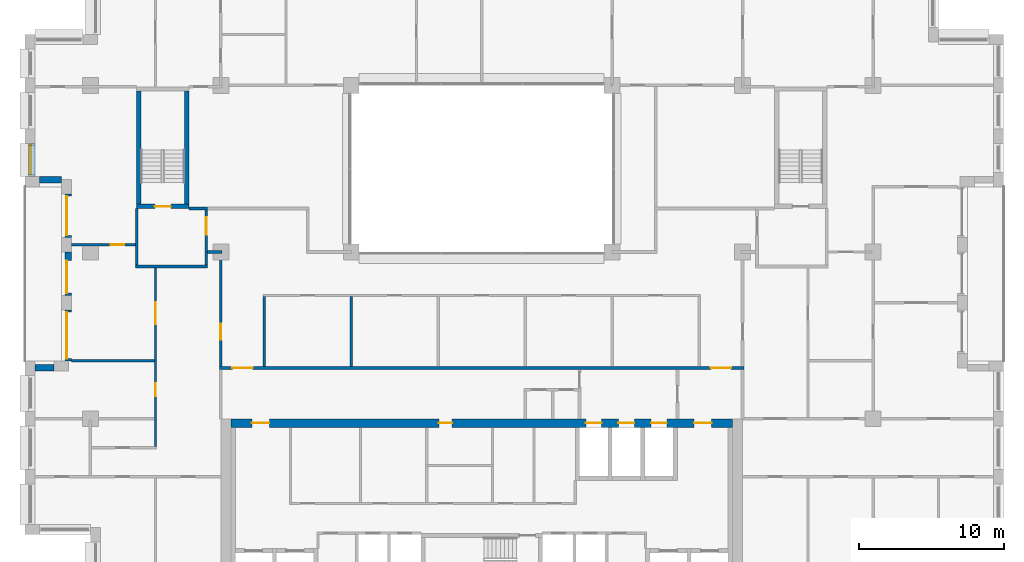
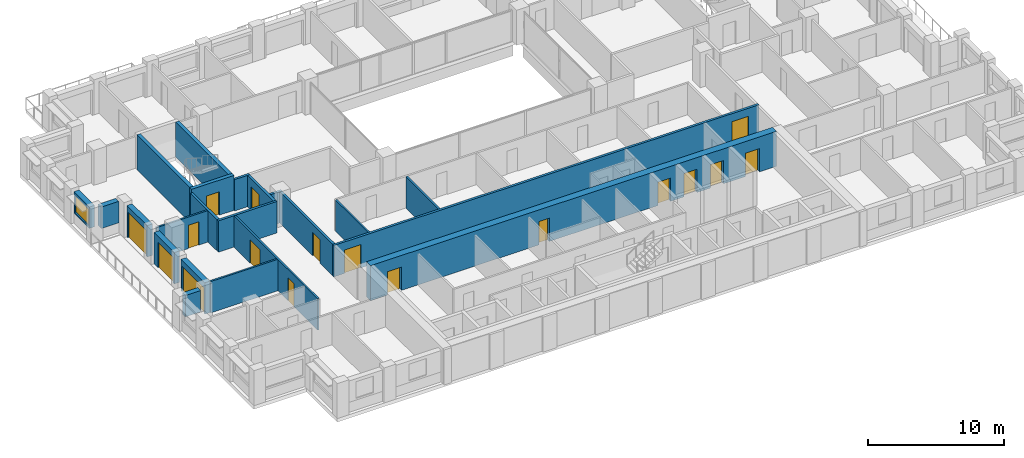
# One storey, part 9 of 15: 22 walls, 17 doors, 1 window, 18 openings.
"""IFC4 building model written with IfcOpenShell, lengths in metres."""

from ifc_helpers import new_model, si_unit, direction, frame, frame_2d, origin, place, context, subcontext, project, spatial, rectangle, extrude, material, layer, layer_set, type_object, element, fill, save


model = new_model("IFC4")

# Units and contexts
model_context = context("Model", 3, precision=1e-05, world=origin(), true_north=direction((0.0, 1.0)))
body_context = subcontext(model_context, "Body", "Model", "MODEL_VIEW")
ifc_project = project(units=[si_unit("LENGTHUNIT", "METRE"), si_unit("AREAUNIT", "SQUARE_METRE"), si_unit("VOLUMEUNIT", "CUBIC_METRE"), si_unit("PLANEANGLEUNIT", "RADIAN"), si_unit("MASSUNIT", "GRAM", prefix="KILO")], contexts=[model_context])

# Site, building, storey
site_placement = place(None, origin())
site = spatial("IfcSite", under=ifc_project, at=site_placement, CompositionType="ELEMENT")
building_placement = place(site_placement, origin())
building = spatial("IfcBuilding", under=site, at=building_placement, Name="Brigalow Station Residences", CompositionType="ELEMENT")
storey_placement = place(building_placement, frame((0.0, 0.0, 147.60009765625)))
storey = spatial("IfcBuildingStorey", under=building, at=storey_placement, Name="L42", CompositionType="ELEMENT", Elevation=147.60009765625)

# Wall, opening, window
ifc_material_1 = material(Name="Clay brick masonry", Category="masonry")
ifc_layer_1 = layer(ifc_material_1, 0.449951171875)
ifc_layer_set_1 = layer_set([ifc_layer_1], Name="BRICK INFILL WALL 450")
wall_type_1 = type_object("IfcWallType", Name="BRICK INFILL WALL 450", PredefinedType="SOLIDWALL", material=ifc_layer_set_1)
wall_1_placement = place(storey_placement, frame((4.97509765625, 31.5, 0.89990234375), z_axis=(0.0, 0.0, 1.0), x_axis=(0.0, -1.0, 0.0)))
wall_1 = element("IfcWall", 1, at=wall_1_placement, inside=storey, type_object=wall_type_1, Name="L42/ewall/W-L42-39", PredefinedType="SOLIDWALL", context=body_context, shape_type="SweptSolid", body=[
    extrude(rectangle(XDim=2.300048828125, YDim=0.449951171875, at=frame_2d((1.14990234375, 0.0))), origin(), (0.0, 0.0, 1.0), 1.929931640625),
])
opening_1_placement = place(wall_1_placement, frame((0.14990234375, 0.0, 0.14990234375)))
opening_1 = element("IfcOpeningElement", 2, at=opening_1_placement, cuts=wall_1, Name="Opening WT-7", PredefinedType="OPENING", context=body_context, shape_type="SweptSolid", body=[
    extrude(rectangle(XDim=2.0, YDim=1.5, at=frame_2d((1.0, 0.75))), frame((0.0, 0.23486328125, 0.0), z_axis=(0.0, -1.0, 0.0), x_axis=(1.0, 0.0, 0.0)), (0.0, 0.0, 1.0), 0.469970703125),
])
ifc_material_2 = material(Name="Anodised aluminium frame with double glazing", Category="aluminium")
window_type = type_object("IfcWindowType", Name="WINDOW 2000x1500", PartitioningType="SINGLE_PANEL", PredefinedType="WINDOW", material=ifc_material_2)
window_placement = place(opening_1_placement, origin())
window = element("IfcWindow", 3, at=window_placement, inside=storey, type_object=window_type, Name="L42/window/W-L42-39", OverallHeight=1.5, OverallWidth=2.0, PartitioningType="SINGLE_PANEL", PredefinedType="WINDOW", context=body_context, shape_type="SweptSolid", body=[
    extrude(rectangle(XDim=2.0, YDim=1.5, at=frame_2d((1.0, 0.75))), frame((0.0, -0.06494140625, 0.0), z_axis=(0.0, -1.0, 0.0), x_axis=(1.0, 0.0, 0.0)), (0.0, 0.0, 1.0), 0.06005859375),
])
fill(opening_1, window)

# Wall
wall_2_placement = place(storey_placement, frame((5.5, 28.97509765625, 0.89990234375), z_axis=(0.0, 0.0, 1.0), x_axis=(1.0, 0.0, 0.0)))
element("IfcWall", 4, at=wall_2_placement, inside=storey, type_object=wall_type_1, Name="L42/ewall/W-L42-40", PredefinedType="SOLIDWALL", context=body_context, shape_type="SweptSolid", body=[
    extrude(rectangle(XDim=1.5, YDim=0.449951171875, at=frame_2d((0.75, 0.0))), origin(), (0.0, 0.0, 1.0), 1.929931640625),
])

# Wall, opening, door
wall_3_placement = place(storey_placement, frame((7.47509765625, 28.0, 0.0), z_axis=(0.0, 0.0, 1.0), x_axis=(0.0, -1.0, 0.0)))
wall_3 = element("IfcWall", 5, at=wall_3_placement, inside=storey, type_object=wall_type_1, Name="L42/ewall/W-L42-41", PredefinedType="SOLIDWALL", context=body_context, shape_type="SweptSolid", body=[
    extrude(rectangle(XDim=3.0, YDim=0.449951171875, at=frame_2d((1.5, 0.0))), origin(), (0.0, 0.0, 1.0), 2.829833984375),
])
opening_2_placement = place(wall_3_placement, frame((0.14990234375, 0.0, 0.0)))
opening_2 = element("IfcOpeningElement", 6, at=opening_2_placement, cuts=wall_3, Name="Opening D-B2700", PredefinedType="OPENING", context=body_context, shape_type="SweptSolid", body=[
    extrude(rectangle(XDim=2.699951171875, YDim=2.300048828125, at=frame_2d((1.35009765625, 1.14990234375))), frame((0.0, 0.23486328125, 0.0), z_axis=(0.0, -1.0, 0.0), x_axis=(1.0, 0.0, 0.0)), (0.0, 0.0, 1.0), 0.469970703125),
])
ifc_material_3 = material(Name="Anodised aluminium frame with double glazing", Category="aluminium")
door_type_1 = type_object("IfcDoorType", Name="BALCONY SLIDING DOOR 2700x2300", OperationType="SLIDING_TO_LEFT", PredefinedType="DOOR", material=ifc_material_3)
door_1_placement = place(opening_2_placement, origin())
door_1 = element("IfcDoor", 7, at=door_1_placement, inside=storey, type_object=door_type_1, Name="L42/balcony-door/W-L42-41", OperationType="SLIDING_TO_LEFT", OverallHeight=2.300048828125, OverallWidth=2.699951171875, PredefinedType="DOOR", context=body_context, shape_type="SweptSolid", body=[
    extrude(rectangle(XDim=2.699951171875, YDim=2.300048828125, at=frame_2d((1.35009765625, 1.14990234375))), frame((0.0, -0.06982421875, 0.0), z_axis=(0.0, -1.0, 0.0), x_axis=(1.0, 0.0, 0.0)), (0.0, 0.0, 1.0), 0.050048828125),
])
fill(opening_2, door_1)

wall_4_placement = place(storey_placement, frame((7.47509765625, 24.0, 0.0), z_axis=(0.0, 0.0, 1.0), x_axis=(0.0, -1.0, 0.0)))
wall_4 = element("IfcWall", 8, at=wall_4_placement, inside=storey, type_object=wall_type_1, Name="L42/ewall/W-L42-42", PredefinedType="SOLIDWALL", context=body_context, shape_type="SweptSolid", body=[
    extrude(rectangle(XDim=3.0, YDim=0.449951171875, at=frame_2d((1.5, 0.0))), origin(), (0.0, 0.0, 1.0), 2.829833984375),
])
opening_3_placement = place(wall_4_placement, frame((0.5849609375, 0.0, 0.0)))
opening_3 = element("IfcOpeningElement", 9, at=opening_3_placement, cuts=wall_4, Name="Opening D-B2250", PredefinedType="OPENING", context=body_context, shape_type="SweptSolid", body=[
    extrude(rectangle(XDim=2.25, YDim=2.300048828125, at=frame_2d((1.125, 1.14990234375))), frame((0.0, 0.23486328125, 0.0), z_axis=(0.0, -1.0, 0.0), x_axis=(1.0, 0.0, 0.0)), (0.0, 0.0, 1.0), 0.469970703125),
])
ifc_material_4 = material(Name="Anodised aluminium frame with double glazing", Category="aluminium")
door_type_2 = type_object("IfcDoorType", Name="BALCONY SLIDING DOOR 2250x2300", OperationType="SLIDING_TO_LEFT", PredefinedType="DOOR", material=ifc_material_4)
door_2_placement = place(opening_3_placement, origin())
door_2 = element("IfcDoor", 10, at=door_2_placement, inside=storey, type_object=door_type_2, Name="L42/balcony-door/W-L42-42", OperationType="SLIDING_TO_LEFT", OverallHeight=2.300048828125, OverallWidth=2.25, PredefinedType="DOOR", context=body_context, shape_type="SweptSolid", body=[
    extrude(rectangle(XDim=2.25, YDim=2.300048828125, at=frame_2d((1.125, 1.14990234375))), frame((0.0, -0.06982421875, 0.0), z_axis=(0.0, -1.0, 0.0), x_axis=(1.0, 0.0, 0.0)), (0.0, 0.0, 1.0), 0.050048828125),
])
fill(opening_3, door_2)

wall_5_placement = place(storey_placement, frame((7.47509765625, 20.0, 0.0), z_axis=(0.0, 0.0, 1.0), x_axis=(0.0, -1.0, 0.0)))
wall_5 = element("IfcWall", 11, at=wall_5_placement, inside=storey, type_object=wall_type_1, Name="L42/ewall/W-L42-43", PredefinedType="SOLIDWALL", context=body_context, shape_type="SweptSolid", body=[
    extrude(rectangle(XDim=3.5, YDim=0.449951171875, at=frame_2d((1.75, 0.0))), origin(), (0.0, 0.0, 1.0), 2.829833984375),
])
opening_4_placement = place(wall_5_placement, frame((0.14990234375, 0.0, 0.0)))
opening_4 = element("IfcOpeningElement", 12, at=opening_4_placement, cuts=wall_5, Name="Opening D-B3200", PredefinedType="OPENING", context=body_context, shape_type="SweptSolid", body=[
    extrude(rectangle(XDim=3.199951171875, YDim=2.300048828125, at=frame_2d((1.60009765625, 1.14990234375))), frame((0.0, 0.23486328125, 0.0), z_axis=(0.0, -1.0, 0.0), x_axis=(1.0, 0.0, 0.0)), (0.0, 0.0, 1.0), 0.469970703125),
])
ifc_material_5 = material(Name="Anodised aluminium frame with double glazing", Category="aluminium")
door_type_3 = type_object("IfcDoorType", Name="BALCONY SLIDING DOOR 3200x2300", OperationType="SLIDING_TO_LEFT", PredefinedType="DOOR", material=ifc_material_5)
door_3_placement = place(opening_4_placement, origin())
door_3 = element("IfcDoor", 13, at=door_3_placement, inside=storey, type_object=door_type_3, Name="L42/balcony-door/W-L42-43", OperationType="SLIDING_TO_LEFT", OverallHeight=2.300048828125, OverallWidth=3.199951171875, PredefinedType="DOOR", context=body_context, shape_type="SweptSolid", body=[
    extrude(rectangle(XDim=3.199951171875, YDim=2.300048828125, at=frame_2d((1.60009765625, 1.14990234375))), frame((0.0, -0.06982421875, 0.0), z_axis=(0.0, -1.0, 0.0), x_axis=(1.0, 0.0, 0.0)), (0.0, 0.0, 1.0), 0.050048828125),
])
fill(opening_4, door_3)

# Wall
wall_6_placement = place(storey_placement, frame((6.5, 16.02490234375, 0.89990234375), z_axis=(0.0, 0.0, 1.0), x_axis=(-1.0, 0.0, 0.0)))
element("IfcWall", 14, at=wall_6_placement, inside=storey, type_object=wall_type_1, Name="L42/ewall/W-L42-44", PredefinedType="SOLIDWALL", context=body_context, shape_type="SweptSolid", body=[
    extrude(rectangle(XDim=1.300048828125, YDim=0.449951171875, at=frame_2d((0.64990234375, 0.0))), origin(), (0.0, 0.0, 1.0), 1.929931640625),
])

# Wall, opening, door
ifc_material_6 = material(Name="Concrete C65", Category="concrete")
ifc_layer_2 = layer(ifc_material_6, 0.300048828125)
ifc_layer_set_2 = layer_set([ifc_layer_2], Name="CORE SHEAR WALL 300 C65")
wall_type_2 = type_object("IfcWallType", Name="CORE SHEAR WALL 300 C65", PredefinedType="SHEAR", material=ifc_layer_set_2)
wall_7_placement = place(storey_placement, frame((12.199951171875, 27.14990234375, 0.0), z_axis=(0.0, 0.0, 1.0), x_axis=(1.0, 0.0, 0.0)))
wall_7 = element("IfcWall", 15, at=wall_7_placement, inside=storey, type_object=wall_type_2, Name="CORE WALL ST-S1-S L42", PredefinedType="SHEAR", context=body_context, shape_type="SweptSolid", body=[
    extrude(rectangle(XDim=3.60009765625, YDim=0.300048828125, at=frame_2d((1.800048828125, 0.0))), origin(), (0.0, 0.0, 1.0), 3.14990234375),
])
opening_5_placement = place(wall_7_placement, frame((1.25, 0.0, 0.0)))
opening_5 = element("IfcOpeningElement", 16, at=opening_5_placement, cuts=wall_7, Name="Opening D-5015", PredefinedType="OPENING", context=body_context, shape_type="SweptSolid", body=[
    extrude(rectangle(XDim=1.10009765625, YDim=2.10009765625, at=frame_2d((0.550048828125, 1.050048828125))), frame((0.0, 0.16015625, 0.0), z_axis=(0.0, -1.0, 0.0), x_axis=(1.0, 0.0, 0.0)), (0.0, 0.0, 1.0), 0.320068359375),
])
ifc_material_7 = material(Name="Steel fire door leaf in steel frame", Category="steel")
door_type_4 = type_object("IfcDoorType", Name="STAIR DOOR 1100 x 2100 FD60S", OperationType="SINGLE_SWING_LEFT", PredefinedType="DOOR", material=ifc_material_7)
door_4_placement = place(opening_5_placement, origin())
door_4 = element("IfcDoor", 17, at=door_4_placement, inside=storey, type_object=door_type_4, Name="D-5015", OperationType="SINGLE_SWING_LEFT", OverallHeight=2.10009765625, OverallWidth=1.10009765625, PredefinedType="DOOR", context=body_context, shape_type="SweptSolid", body=[
    extrude(rectangle(XDim=1.10009765625, YDim=2.10009765625, at=frame_2d((0.550048828125, 1.050048828125))), frame((0.0, 0.02490234375, 0.0), z_axis=(0.0, -1.0, 0.0), x_axis=(1.0, 0.0, 0.0)), (0.0, 0.0, 1.0), 0.050048828125),
])
fill(opening_5, door_4)

# Walls
for number, where, z_axis, x_axis, name in (
    (18, (12.35009765625, 27.300048828125, 0.0), (0.0, 0.0, 1.0), (0.0, 1.0, 0.0), "CORE WALL ST-S1-W L42"),
    (19, (15.64990234375, 27.300048828125, 0.0), (0.0, 0.0, 1.0), (0.0, 1.0, 0.0), "CORE WALL ST-S1-E L42"),
):
    element("IfcWall", number, at=place(storey_placement, frame(where, z_axis=z_axis, x_axis=x_axis)), inside=storey, type_object=wall_type_2, Name=name, PredefinedType="SHEAR", context=body_context, shape_type="SweptSolid", body=[
        extrude(rectangle(XDim=7.800048828125, YDim=0.300048828125, at=frame_2d((3.89990234375, 0.0))), origin(), (0.0, 0.0, 1.0), 3.14990234375),
    ])

# Wall, openings, doors
ifc_material_8 = material(Name="Concrete C65", Category="concrete")
ifc_layer_3 = layer(ifc_material_8, 0.60009765625)
ifc_layer_set_3 = layer_set([ifc_layer_3], Name="CORE SHEAR WALL 600 C65")
wall_type_3 = type_object("IfcWallType", Name="CORE SHEAR WALL 600 C65", PredefinedType="SHEAR", material=ifc_layer_set_3)
wall_8_placement = place(storey_placement, frame((18.699951171875, 12.199951171875, 0.0), z_axis=(0.0, 0.0, 1.0), x_axis=(1.0, 0.0, 0.0)))
wall_8 = element("IfcWall", 20, at=wall_8_placement, inside=storey, type_object=wall_type_3, Name="CORE WALL OUT-N L42", PredefinedType="SHEAR", context=body_context, shape_type="SweptSolid", body=[
    extrude(rectangle(XDim=34.60009765625, YDim=0.60009765625, at=frame_2d((17.300048828125, 0.0))), origin(), (0.0, 0.0, 1.0), 3.14990234375),
])
opening_6_placement = place(wall_8_placement, frame((24.47509765625, 0.0, 0.0)))
opening_6 = element("IfcOpeningElement", 21, at=opening_6_placement, cuts=wall_8, Name="Opening LD-LF1", PredefinedType="OPENING", context=body_context, shape_type="SweptSolid", body=[
    extrude(rectangle(XDim=1.10009765625, YDim=2.10009765625, at=frame_2d((0.550048828125, 1.050048828125))), frame((0.0, 0.31005859375, 0.0), z_axis=(0.0, -1.0, 0.0), x_axis=(1.0, 0.0, 0.0)), (0.0, 0.0, 1.0), 0.6201171875),
])
opening_7_placement = place(wall_8_placement, frame((26.72509765625, 0.0, 0.0)))
opening_7 = element("IfcOpeningElement", 22, at=opening_7_placement, cuts=wall_8, Name="Opening LD-LF2", PredefinedType="OPENING", context=body_context, shape_type="SweptSolid", body=[
    extrude(rectangle(XDim=1.10009765625, YDim=2.10009765625, at=frame_2d((0.550048828125, 1.050048828125))), frame((0.0, 0.31005859375, 0.0), z_axis=(0.0, -1.0, 0.0), x_axis=(1.0, 0.0, 0.0)), (0.0, 0.0, 1.0), 0.6201171875),
])
opening_8_placement = place(wall_8_placement, frame((28.97509765625, 0.0, 0.0)))
opening_8 = element("IfcOpeningElement", 23, at=opening_8_placement, cuts=wall_8, Name="Opening LD-LG1", PredefinedType="OPENING", context=body_context, shape_type="SweptSolid", body=[
    extrude(rectangle(XDim=1.10009765625, YDim=2.10009765625, at=frame_2d((0.550048828125, 1.050048828125))), frame((0.0, 0.31005859375, 0.0), z_axis=(0.0, -1.0, 0.0), x_axis=(1.0, 0.0, 0.0)), (0.0, 0.0, 1.0), 0.6201171875),
])
opening_9_placement = place(wall_8_placement, frame((14.35009765625, 0.0, 0.0)))
opening_9 = element("IfcOpeningElement", 24, at=opening_9_placement, cuts=wall_8, Name="Opening D-5113", PredefinedType="OPENING", context=body_context, shape_type="SweptSolid", body=[
    extrude(rectangle(XDim=0.89990234375, YDim=2.10009765625, at=frame_2d((0.449951171875, 1.050048828125))), frame((0.0, 0.31005859375, 0.0), z_axis=(0.0, -1.0, 0.0), x_axis=(1.0, 0.0, 0.0)), (0.0, 0.0, 1.0), 0.6201171875),
])
opening_10_placement = place(wall_8_placement, frame((1.449951171875, 0.0, 0.0)))
opening_10 = element("IfcOpeningElement", 25, at=opening_10_placement, cuts=wall_8, Name="Opening D-5011", PredefinedType="OPENING", context=body_context, shape_type="SweptSolid", body=[
    extrude(rectangle(XDim=1.199951171875, YDim=2.10009765625, at=frame_2d((0.60009765625, 1.050048828125))), frame((0.0, 0.31005859375, 0.0), z_axis=(0.0, -1.0, 0.0), x_axis=(1.0, 0.0, 0.0)), (0.0, 0.0, 1.0), 0.6201171875),
])
opening_11_placement = place(wall_8_placement, frame((31.949951171875, 0.0, 0.0)))
opening_11 = element("IfcOpeningElement", 26, at=opening_11_placement, cuts=wall_8, Name="Opening D-5012", PredefinedType="OPENING", context=body_context, shape_type="SweptSolid", body=[
    extrude(rectangle(XDim=1.199951171875, YDim=2.10009765625, at=frame_2d((0.60009765625, 1.050048828125))), frame((0.0, 0.31005859375, 0.0), z_axis=(0.0, -1.0, 0.0), x_axis=(1.0, 0.0, 0.0)), (0.0, 0.0, 1.0), 0.6201171875),
])
ifc_material_9 = material(Name="Steel fire door leaf in steel frame", Category="steel")
door_type_5 = type_object("IfcDoorType", Name="CORE CORRIDOR DOOR 1200 x 2100 FD60S", OperationType="SINGLE_SWING_LEFT", PredefinedType="DOOR", material=ifc_material_9)
door_5_placement = place(opening_10_placement, frame((1.199951171875, 0.0, 0.0), z_axis=(0.0, 0.0, 1.0), x_axis=(-1.0, 0.0, 0.0)))
door_5 = element("IfcDoor", 27, at=door_5_placement, inside=storey, type_object=door_type_5, Name="D-5011", OperationType="SINGLE_SWING_LEFT", OverallHeight=2.10009765625, OverallWidth=1.199951171875, PredefinedType="DOOR", context=body_context, shape_type="SweptSolid", body=[
    extrude(rectangle(XDim=1.199951171875, YDim=2.10009765625, at=frame_2d((0.60009765625, 1.050048828125))), frame((0.0, 0.02490234375, 0.0), z_axis=(0.0, -1.0, 0.0), x_axis=(1.0, 0.0, 0.0)), (0.0, 0.0, 1.0), 0.050048828125),
])
fill(opening_10, door_5)
door_6_placement = place(opening_11_placement, frame((1.199951171875, 0.0, 0.0), z_axis=(0.0, 0.0, 1.0), x_axis=(-1.0, 0.0, 0.0)))
door_6 = element("IfcDoor", 28, at=door_6_placement, inside=storey, type_object=door_type_5, Name="D-5012", OperationType="SINGLE_SWING_RIGHT", OverallHeight=2.10009765625, OverallWidth=1.199951171875, PredefinedType="DOOR", context=body_context, shape_type="SweptSolid", body=[
    extrude(rectangle(XDim=1.199951171875, YDim=2.10009765625, at=frame_2d((0.60009765625, 1.050048828125))), frame((0.0, 0.02490234375, 0.0), z_axis=(0.0, -1.0, 0.0), x_axis=(1.0, 0.0, 0.0)), (0.0, 0.0, 1.0), 0.050048828125),
])
fill(opening_11, door_6)
ifc_material_10 = material(Name="Stainless steel sliding door leaves", Category="steel")
door_type_6 = type_object("IfcDoorType", Name="LIFT LANDING DOOR 1100 x 2100", OperationType="DOUBLE_DOOR_SLIDING", PredefinedType="DOOR", material=ifc_material_10)
door_7_placement = place(opening_6_placement, origin())
door_7 = element("IfcDoor", 29, at=door_7_placement, inside=storey, type_object=door_type_6, Name="LANDING DOOR LF1", OperationType="DOUBLE_DOOR_SLIDING", OverallHeight=2.10009765625, OverallWidth=1.10009765625, PredefinedType="DOOR", context=body_context, shape_type="SweptSolid", body=[
    extrude(rectangle(XDim=1.10009765625, YDim=2.10009765625, at=frame_2d((0.550048828125, 1.050048828125))), frame((0.0, 0.02490234375, 0.0), z_axis=(0.0, -1.0, 0.0), x_axis=(1.0, 0.0, 0.0)), (0.0, 0.0, 1.0), 0.050048828125),
])
fill(opening_6, door_7)
door_8_placement = place(opening_7_placement, origin())
door_8 = element("IfcDoor", 30, at=door_8_placement, inside=storey, type_object=door_type_6, Name="LANDING DOOR LF2", OperationType="DOUBLE_DOOR_SLIDING", OverallHeight=2.10009765625, OverallWidth=1.10009765625, PredefinedType="DOOR", context=body_context, shape_type="SweptSolid", body=[
    extrude(rectangle(XDim=1.10009765625, YDim=2.10009765625, at=frame_2d((0.550048828125, 1.050048828125))), frame((0.0, 0.02490234375, 0.0), z_axis=(0.0, -1.0, 0.0), x_axis=(1.0, 0.0, 0.0)), (0.0, 0.0, 1.0), 0.050048828125),
])
fill(opening_7, door_8)
door_9_placement = place(opening_8_placement, origin())
door_9 = element("IfcDoor", 31, at=door_9_placement, inside=storey, type_object=door_type_6, Name="LANDING DOOR LG1", OperationType="DOUBLE_DOOR_SLIDING", OverallHeight=2.10009765625, OverallWidth=1.10009765625, PredefinedType="DOOR", context=body_context, shape_type="SweptSolid", body=[
    extrude(rectangle(XDim=1.10009765625, YDim=2.10009765625, at=frame_2d((0.550048828125, 1.050048828125))), frame((0.0, 0.02490234375, 0.0), z_axis=(0.0, -1.0, 0.0), x_axis=(1.0, 0.0, 0.0)), (0.0, 0.0, 1.0), 0.050048828125),
])
fill(opening_8, door_9)
ifc_material_11 = material(Name="Steel door leaf in steel frame", Category="steel")
door_type_7 = type_object("IfcDoorType", Name="SERVICE ROOM DOOR 900 x 2100 FD60", OperationType="SINGLE_SWING_LEFT", PredefinedType="DOOR", material=ifc_material_11)
door_10_placement = place(opening_9_placement, frame((0.89990234375, 0.0, 0.0), z_axis=(0.0, 0.0, 1.0), x_axis=(-1.0, 0.0, 0.0)))
door_10 = element("IfcDoor", 32, at=door_10_placement, inside=storey, type_object=door_type_7, Name="D-5113", OperationType="SINGLE_SWING_RIGHT", OverallHeight=2.10009765625, OverallWidth=0.89990234375, PredefinedType="DOOR", context=body_context, shape_type="SweptSolid", body=[
    extrude(rectangle(XDim=0.89990234375, YDim=2.10009765625, at=frame_2d((0.449951171875, 1.050048828125))), frame((0.0, 0.02490234375, 0.0), z_axis=(0.0, -1.0, 0.0), x_axis=(1.0, 0.0, 0.0)), (0.0, 0.0, 1.0), 0.050048828125),
])
fill(opening_9, door_10)

# Walls
ifc_material_12 = material(Name="Concrete blockwork", Category="masonry")
ifc_layer_4 = layer(ifc_material_12, 0.199951171875)
ifc_layer_set_4 = layer_set([ifc_layer_4], Name="FIRE RATED CORE PARTITION 200")
wall_type_4 = type_object("IfcWallType", Name="FIRE RATED CORE PARTITION 200", PredefinedType="PARTITIONING", material=ifc_layer_set_4)
wall_9_placement = place(storey_placement, frame((12.10009765625, 23.0, 0.0), z_axis=(0.0, 0.0, 1.0), x_axis=(1.0, 0.0, 0.0)))
element("IfcWall", 33, at=wall_9_placement, inside=storey, type_object=wall_type_4, Name="PW-5023", PredefinedType="PARTITIONING", context=body_context, shape_type="SweptSolid", body=[
    extrude(rectangle(XDim=5.0, YDim=0.199951171875, at=frame_2d((2.5, 0.0))), origin(), (0.0, 0.0, 1.0), 2.829833984375),
])
wall_10_placement = place(storey_placement, frame((15.800048828125, 27.0, 0.0), z_axis=(0.0, 0.0, 1.0), x_axis=(1.0, 0.0, 0.0)))
element("IfcWall", 34, at=wall_10_placement, inside=storey, type_object=wall_type_4, Name="PW-5025", PredefinedType="PARTITIONING", context=body_context, shape_type="SweptSolid", body=[
    extrude(rectangle(XDim=1.300048828125, YDim=0.199951171875, at=frame_2d((0.64990234375, 0.0))), origin(), (0.0, 0.0, 1.0), 2.829833984375),
])
wall_11_placement = place(storey_placement, frame((12.199951171875, 23.10009765625, 0.0), z_axis=(0.0, 0.0, 1.0), x_axis=(0.0, 1.0, 0.0)))
element("IfcWall", 35, at=wall_11_placement, inside=storey, type_object=wall_type_4, Name="PW-5034", PredefinedType="PARTITIONING", context=body_context, shape_type="SweptSolid", body=[
    extrude(rectangle(XDim=3.89990234375, YDim=0.199951171875, at=frame_2d((1.949951171875, 0.0))), origin(), (0.0, 0.0, 1.0), 2.829833984375),
])

# Wall, opening, door
wall_12_placement = place(storey_placement, frame((17.0, 23.10009765625, 0.0), z_axis=(0.0, 0.0, 1.0), x_axis=(0.0, 1.0, 0.0)))
wall_12 = element("IfcWall", 36, at=wall_12_placement, inside=storey, type_object=wall_type_4, Name="PW-5035", PredefinedType="PARTITIONING", context=body_context, shape_type="SweptSolid", body=[
    extrude(rectangle(XDim=3.7998046875, YDim=0.199951171875, at=frame_2d((1.89990234375, 0.0))), origin(), (0.0, 0.0, 1.0), 2.829833984375),
])
opening_12_placement = place(wall_12_placement, frame((2.10009765625, 0.0, 0.0)))
opening_12 = element("IfcOpeningElement", 37, at=opening_12_placement, cuts=wall_12, Name="Opening D-5016", PredefinedType="OPENING", context=body_context, shape_type="SweptSolid", body=[
    extrude(rectangle(XDim=1.199951171875, YDim=2.10009765625, at=frame_2d((0.60009765625, 1.050048828125))), frame((0.0, 0.10986328125, 0.0), z_axis=(0.0, -1.0, 0.0), x_axis=(1.0, 0.0, 0.0)), (0.0, 0.0, 1.0), 0.219970703125),
])
ifc_material_13 = material(Name="Steel fire door leaf in steel frame", Category="steel")
door_type_8 = type_object("IfcDoorType", Name="STAIR LOBBY DOOR 1200 x 2100 FD60S", OperationType="SINGLE_SWING_LEFT", PredefinedType="DOOR", material=ifc_material_13)
door_11_placement = place(opening_12_placement, origin())
door_11 = element("IfcDoor", 38, at=door_11_placement, inside=storey, type_object=door_type_8, Name="D-5016", OperationType="SINGLE_SWING_RIGHT", OverallHeight=2.10009765625, OverallWidth=1.199951171875, PredefinedType="DOOR", context=body_context, shape_type="SweptSolid", body=[
    extrude(rectangle(XDim=1.199951171875, YDim=2.10009765625, at=frame_2d((0.60009765625, 1.050048828125))), frame((0.0, 0.02490234375, 0.0), z_axis=(0.0, -1.0, 0.0), x_axis=(1.0, 0.0, 0.0)), (0.0, 0.0, 1.0), 0.050048828125),
])
fill(opening_12, door_11)

# Wall
ifc_material_14 = material(Name="Plasterboard on steel stud partition", Category="steel")
ifc_layer_5 = layer(ifc_material_14, 0.14990234375)
ifc_layer_set_5 = layer_set([ifc_layer_5], Name="FLAT PARTITION 150")
wall_type_5 = type_object("IfcWallType", Name="FLAT PARTITION 150", PredefinedType="PARTITIONING", material=ifc_layer_set_5)
wall_13_placement = place(storey_placement, frame((7.699951171875, 16.5, 0.0), z_axis=(0.0, 0.0, 1.0), x_axis=(1.0, 0.0, 0.0)))
element("IfcWall", 39, at=wall_13_placement, inside=storey, type_object=wall_type_5, Name="PW-3A14", PredefinedType="PARTITIONING", context=body_context, shape_type="SweptSolid", body=[
    extrude(rectangle(XDim=5.72509765625, YDim=0.14990234375, at=frame_2d((2.862548828125, 0.0))), origin(), (0.0, 0.0, 1.0), 2.829833984375),
])

# Wall, opening, door
wall_14_placement = place(storey_placement, frame((7.699951171875, 24.5, 0.0), z_axis=(0.0, 0.0, 1.0), x_axis=(1.0, 0.0, 0.0)))
wall_14 = element("IfcWall", 40, at=wall_14_placement, inside=storey, type_object=wall_type_5, Name="PW-3A16", PredefinedType="PARTITIONING", context=body_context, shape_type="SweptSolid", body=[
    extrude(rectangle(XDim=4.400146484375, YDim=0.14990234375, at=frame_2d((2.2001953125, 0.0))), origin(), (0.0, 0.0, 1.0), 2.829833984375),
])
opening_13_placement = place(wall_14_placement, frame((2.72509765625, 0.0, 0.0)))
opening_13 = element("IfcOpeningElement", 41, at=opening_13_placement, cuts=wall_14, Name="Opening D-3A09", PredefinedType="OPENING", context=body_context, shape_type="SweptSolid", body=[
    extrude(rectangle(XDim=0.89990234375, YDim=2.10009765625, at=frame_2d((0.449951171875, 1.050048828125))), frame((0.0, 0.0849609375, 0.0), z_axis=(0.0, -1.0, 0.0), x_axis=(1.0, 0.0, 0.0)), (0.0, 0.0, 1.0), 0.169921875),
])
ifc_material_15 = material(Name="Solid-core timber door leaf", Category="wood")
door_type_9 = type_object("IfcDoorType", Name="INTERNAL DOOR 900 x 2100", OperationType="SINGLE_SWING_LEFT", PredefinedType="DOOR", material=ifc_material_15)
door_12_placement = place(opening_13_placement, frame((0.89990234375, 0.0, 0.0), z_axis=(0.0, 0.0, 1.0), x_axis=(-1.0, 0.0, 0.0)))
door_12 = element("IfcDoor", 42, at=door_12_placement, inside=storey, type_object=door_type_9, Name="D-3A09", OperationType="SINGLE_SWING_LEFT", OverallHeight=2.10009765625, OverallWidth=0.89990234375, PredefinedType="DOOR", context=body_context, shape_type="SweptSolid", body=[
    extrude(rectangle(XDim=0.89990234375, YDim=2.10009765625, at=frame_2d((0.449951171875, 1.050048828125))), frame((0.0, 0.02490234375, 0.0), z_axis=(0.0, -1.0, 0.0), x_axis=(1.0, 0.0, 0.0)), (0.0, 0.0, 1.0), 0.050048828125),
])
fill(opening_13, door_12)

# Wall
wall_15_placement = place(storey_placement, frame((21.0, 16.10009765625, 0.0), z_axis=(0.0, 0.0, 1.0), x_axis=(0.0, 1.0, 0.0)))
element("IfcWall", 43, at=wall_15_placement, inside=storey, type_object=wall_type_5, Name="PW-3A33", PredefinedType="PARTITIONING", context=body_context, shape_type="SweptSolid", body=[
    extrude(rectangle(XDim=4.824951171875, YDim=0.14990234375, at=frame_2d((2.41259765625, 0.0))), origin(), (0.0, 0.0, 1.0), 2.829833984375),
])

# Wall, openings, doors
wall_16_placement = place(storey_placement, frame((13.5, 10.574951171875, 0.0), z_axis=(0.0, 0.0, 1.0), x_axis=(0.0, 1.0, 0.0)))
wall_16 = element("IfcWall", 44, at=wall_16_placement, inside=storey, type_object=wall_type_5, Name="PW-3A39", PredefinedType="PARTITIONING", context=body_context, shape_type="SweptSolid", body=[
    extrude(rectangle(XDim=12.324951171875, YDim=0.14990234375, at=frame_2d((6.16259765625, 0.0))), origin(), (0.0, 0.0, 1.0), 2.829833984375),
])
opening_14_placement = place(wall_16_placement, frame((3.47509765625, 0.0, 0.0)))
opening_14 = element("IfcOpeningElement", 45, at=opening_14_placement, cuts=wall_16, Name="Opening D-3A07", PredefinedType="OPENING", context=body_context, shape_type="SweptSolid", body=[
    extrude(rectangle(XDim=0.89990234375, YDim=2.10009765625, at=frame_2d((0.449951171875, 1.050048828125))), frame((0.0, 0.0849609375, 0.0), z_axis=(0.0, -1.0, 0.0), x_axis=(1.0, 0.0, 0.0)), (0.0, 0.0, 1.0), 0.169921875),
])
opening_15_placement = place(wall_16_placement, frame((8.449951171875, 0.0, 0.0)))
opening_15 = element("IfcOpeningElement", 46, at=opening_15_placement, cuts=wall_16, Name="Opening D-3A08", PredefinedType="OPENING", context=body_context, shape_type="SweptSolid", body=[
    extrude(rectangle(XDim=1.5, YDim=2.10009765625, at=frame_2d((0.75, 1.050048828125))), frame((0.0, 0.0849609375, 0.0), z_axis=(0.0, -1.0, 0.0), x_axis=(1.0, 0.0, 0.0)), (0.0, 0.0, 1.0), 0.169921875),
])
door_13_placement = place(opening_14_placement, origin())
door_13 = element("IfcDoor", 47, at=door_13_placement, inside=storey, type_object=door_type_9, Name="D-3A07", OperationType="SINGLE_SWING_LEFT", OverallHeight=2.10009765625, OverallWidth=0.89990234375, PredefinedType="DOOR", context=body_context, shape_type="SweptSolid", body=[
    extrude(rectangle(XDim=0.89990234375, YDim=2.10009765625, at=frame_2d((0.449951171875, 1.050048828125))), frame((0.0, 0.02490234375, 0.0), z_axis=(0.0, -1.0, 0.0), x_axis=(1.0, 0.0, 0.0)), (0.0, 0.0, 1.0), 0.050048828125),
])
fill(opening_14, door_13)
ifc_material_16 = material(Name="Solid-core timber door leaf", Category="wood")
door_type_10 = type_object("IfcDoorType", Name="INTERNAL DOUBLE DOOR 1500 x 2100", OperationType="DOUBLE_DOOR_SINGLE_SWING", PredefinedType="DOOR", material=ifc_material_16)
door_14_placement = place(opening_15_placement, origin())
door_14 = element("IfcDoor", 48, at=door_14_placement, inside=storey, type_object=door_type_10, Name="D-3A08", OperationType="DOUBLE_DOOR_SINGLE_SWING", OverallHeight=2.10009765625, OverallWidth=1.5, PredefinedType="DOOR", context=body_context, shape_type="SweptSolid", body=[
    extrude(rectangle(XDim=1.5, YDim=2.10009765625, at=frame_2d((0.75, 1.050048828125))), frame((0.0, 0.02490234375, 0.0), z_axis=(0.0, -1.0, 0.0), x_axis=(1.0, 0.0, 0.0)), (0.0, 0.0, 1.0), 0.050048828125),
])
fill(opening_15, door_14)

# Walls
wall_17_placement = place(storey_placement, frame((27.0, 16.10009765625, 0.0), z_axis=(0.0, 0.0, 1.0), x_axis=(0.0, 1.0, 0.0)))
element("IfcWall", 49, at=wall_17_placement, inside=storey, type_object=wall_type_5, Name="PW-3A53", PredefinedType="PARTITIONING", context=body_context, shape_type="SweptSolid", body=[
    extrude(rectangle(XDim=4.824951171875, YDim=0.14990234375, at=frame_2d((2.41259765625, 0.0))), origin(), (0.0, 0.0, 1.0), 2.829833984375),
])
ifc_material_17 = material(Name="Plasterboard on steel stud partition", Category="steel")
ifc_layer_6 = layer(ifc_material_17, 0.199951171875)
ifc_layer_set_6 = layer_set([ifc_layer_6], Name="PARTY AND CORRIDOR WALL 200")
wall_type_6 = type_object("IfcWallType", Name="PARTY AND CORRIDOR WALL 200", PredefinedType="PARTITIONING", material=ifc_layer_set_6)
wall_18_placement = place(storey_placement, frame((17.10009765625, 24.0, 0.0), z_axis=(0.0, 0.0, 1.0), x_axis=(1.0, 0.0, 0.0)))
element("IfcWall", 50, at=wall_18_placement, inside=storey, type_object=wall_type_6, Name="PW-3A02", PredefinedType="PARTITIONING", context=body_context, shape_type="SweptSolid", body=[
    extrude(rectangle(XDim=1.0, YDim=0.199951171875, at=frame_2d((0.5, 0.0))), origin(), (0.0, 0.0, 1.0), 2.829833984375),
])

# Wall, openings, doors
wall_19_placement = place(storey_placement, frame((17.89990234375, 16.0, 0.0), z_axis=(0.0, 0.0, 1.0), x_axis=(1.0, 0.0, 0.0)))
wall_19 = element("IfcWall", 51, at=wall_19_placement, inside=storey, type_object=wall_type_6, Name="PW-3A28", PredefinedType="PARTITIONING", context=body_context, shape_type="SweptSolid", body=[
    extrude(rectangle(XDim=36.2001953125, YDim=0.199951171875, at=frame_2d((18.10009765625, 0.0))), origin(), (0.0, 0.0, 1.0), 2.829833984375),
])
opening_16_placement = place(wall_19_placement, frame((0.89990234375, 0.0, 0.0)))
opening_16 = element("IfcOpeningElement", 52, at=opening_16_placement, cuts=wall_19, Name="Opening D-3A01", PredefinedType="OPENING", context=body_context, shape_type="SweptSolid", body=[
    extrude(rectangle(XDim=1.39990234375, YDim=2.10009765625, at=frame_2d((0.699951171875, 1.050048828125))), frame((0.0, 0.10986328125, 0.0), z_axis=(0.0, -1.0, 0.0), x_axis=(1.0, 0.0, 0.0)), (0.0, 0.0, 1.0), 0.219970703125),
])
opening_17_placement = place(wall_19_placement, frame((33.89990234375, 0.0, 0.0)))
opening_17 = element("IfcOpeningElement", 53, at=opening_17_placement, cuts=wall_19, Name="Opening D-3A02", PredefinedType="OPENING", context=body_context, shape_type="SweptSolid", body=[
    extrude(rectangle(XDim=1.39990234375, YDim=2.10009765625, at=frame_2d((0.699951171875, 1.050048828125))), frame((0.0, 0.10986328125, 0.0), z_axis=(0.0, -1.0, 0.0), x_axis=(1.0, 0.0, 0.0)), (0.0, 0.0, 1.0), 0.219970703125),
])
ifc_material_18 = material(Name="Solid-core timber door leaf", Category="wood")
door_type_11 = type_object("IfcDoorType", Name="CORRIDOR FIRE DOOR 1400 x 2100 FRL -/60/30", OperationType="DOUBLE_DOOR_SINGLE_SWING", PredefinedType="DOOR", material=ifc_material_18)
door_15_placement = place(opening_16_placement, frame((1.39990234375, 0.0, 0.0), z_axis=(0.0, 0.0, 1.0), x_axis=(-1.0, 0.0, 0.0)))
door_15 = element("IfcDoor", 54, at=door_15_placement, inside=storey, type_object=door_type_11, Name="D-3A01", OperationType="DOUBLE_DOOR_SINGLE_SWING", OverallHeight=2.10009765625, OverallWidth=1.39990234375, PredefinedType="DOOR", context=body_context, shape_type="SweptSolid", body=[
    extrude(rectangle(XDim=1.39990234375, YDim=2.10009765625, at=frame_2d((0.699951171875, 1.050048828125))), frame((0.0, 0.02490234375, 0.0), z_axis=(0.0, -1.0, 0.0), x_axis=(1.0, 0.0, 0.0)), (0.0, 0.0, 1.0), 0.050048828125),
])
fill(opening_16, door_15)
door_16_placement = place(opening_17_placement, frame((1.39990234375, 0.0, 0.0), z_axis=(0.0, 0.0, 1.0), x_axis=(-1.0, 0.0, 0.0)))
door_16 = element("IfcDoor", 55, at=door_16_placement, inside=storey, type_object=door_type_11, Name="D-3A02", OperationType="DOUBLE_DOOR_SINGLE_SWING", OverallHeight=2.10009765625, OverallWidth=1.39990234375, PredefinedType="DOOR", context=body_context, shape_type="SweptSolid", body=[
    extrude(rectangle(XDim=1.39990234375, YDim=2.10009765625, at=frame_2d((0.699951171875, 1.050048828125))), frame((0.0, 0.02490234375, 0.0), z_axis=(0.0, -1.0, 0.0), x_axis=(1.0, 0.0, 0.0)), (0.0, 0.0, 1.0), 0.050048828125),
])
fill(opening_17, door_16)

# Wall, opening, door
wall_20_placement = place(storey_placement, frame((18.0, 16.10009765625, 0.0), z_axis=(0.0, 0.0, 1.0), x_axis=(0.0, 1.0, 0.0)))
wall_20 = element("IfcWall", 56, at=wall_20_placement, inside=storey, type_object=wall_type_6, Name="PW-3A30", PredefinedType="PARTITIONING", context=body_context, shape_type="SweptSolid", body=[
    extrude(rectangle(XDim=7.7998046875, YDim=0.199951171875, at=frame_2d((3.89990234375, 0.0))), origin(), (0.0, 0.0, 1.0), 2.829833984375),
])
opening_18_placement = place(wall_20_placement, frame((1.85009765625, 0.0, 0.0)))
opening_18 = element("IfcOpeningElement", 57, at=opening_18_placement, cuts=wall_20, Name="Opening D-3A17", PredefinedType="OPENING", context=body_context, shape_type="SweptSolid", body=[
    extrude(rectangle(XDim=1.10009765625, YDim=2.10009765625, at=frame_2d((0.550048828125, 1.050048828125))), frame((0.0, 0.10986328125, 0.0), z_axis=(0.0, -1.0, 0.0), x_axis=(1.0, 0.0, 0.0)), (0.0, 0.0, 1.0), 0.219970703125),
])
ifc_material_19 = material(Name="Solid-core timber door leaf", Category="wood")
door_type_12 = type_object("IfcDoorType", Name="FLAT ENTRANCE DOOR 1100 x 2100 FRL -/60/30", OperationType="SINGLE_SWING_LEFT", PredefinedType="DOOR", material=ifc_material_19)
door_17_placement = place(opening_18_placement, origin())
door_17 = element("IfcDoor", 58, at=door_17_placement, inside=storey, type_object=door_type_12, Name="D-3A17", OperationType="SINGLE_SWING_RIGHT", OverallHeight=2.10009765625, OverallWidth=1.10009765625, PredefinedType="DOOR", context=body_context, shape_type="SweptSolid", body=[
    extrude(rectangle(XDim=1.10009765625, YDim=2.10009765625, at=frame_2d((0.550048828125, 1.050048828125))), frame((0.0, 0.02490234375, 0.0), z_axis=(0.0, -1.0, 0.0), x_axis=(1.0, 0.0, 0.0)), (0.0, 0.0, 1.0), 0.050048828125),
])
fill(opening_18, door_17)

save(model, "model.ifc")
